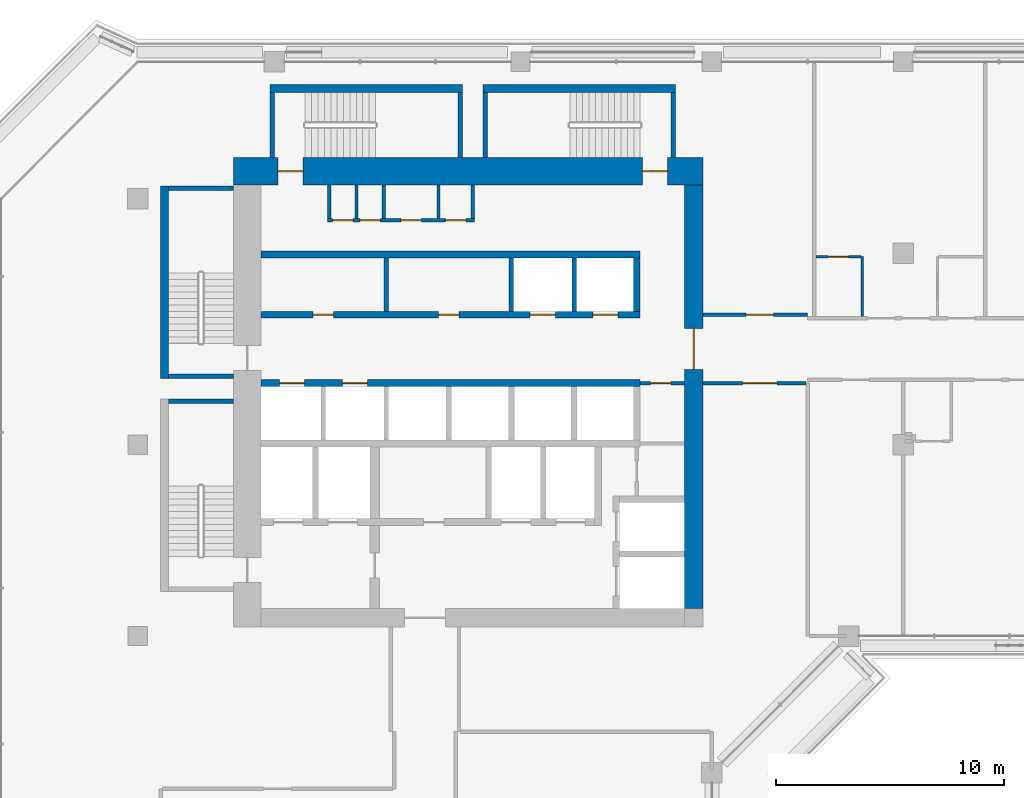
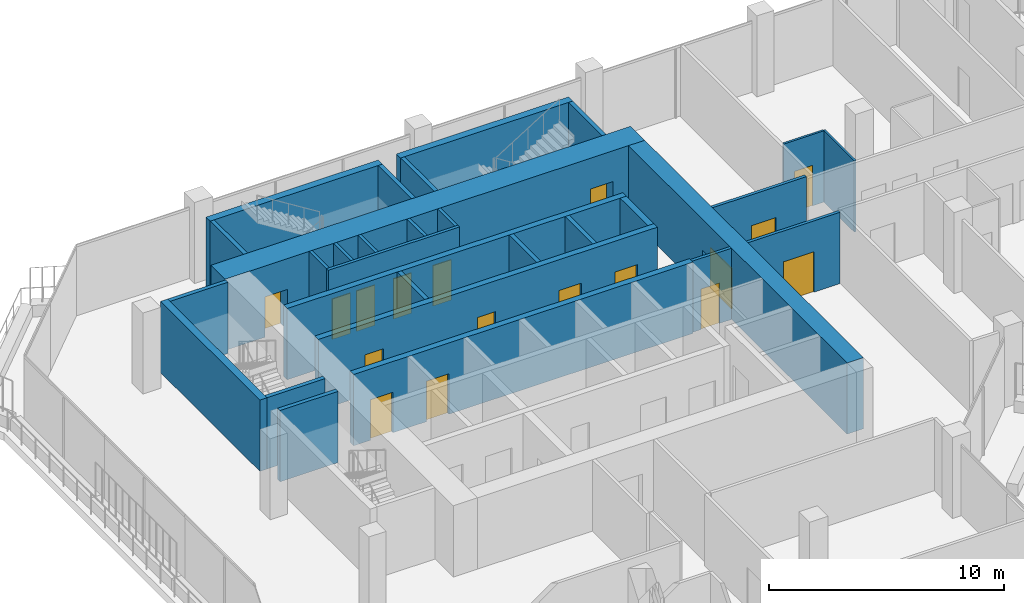
# One storey, part 12 of 23: 30 walls, 17 doors, 17 openings.
"""IFC4 building model written with IfcOpenShell, lengths in metres."""

from ifc_helpers import new_model, si_unit, direction, frame, frame_2d, origin, place, context, subcontext, project, spatial, rectangle, extrude, material, layer, layer_set, type_object, element, fill, save


model = new_model("IFC4")

# Units and contexts
model_context = context("Model", 3, precision=1e-05, world=origin(), true_north=direction((0.0, 1.0)))
body_context = subcontext(model_context, "Body", "Model", "MODEL_VIEW")
ifc_project = project(units=[si_unit("LENGTHUNIT", "METRE"), si_unit("AREAUNIT", "SQUARE_METRE"), si_unit("VOLUMEUNIT", "CUBIC_METRE"), si_unit("PLANEANGLEUNIT", "RADIAN"), si_unit("MASSUNIT", "GRAM", prefix="KILO")], contexts=[model_context])

# Site, building, storey
site_placement = place(None, origin())
site = spatial("IfcSite", under=ifc_project, at=site_placement, CompositionType="ELEMENT")
building_placement = place(site_placement, origin())
building = spatial("IfcBuilding", under=site, at=building_placement, Name="Kawkab Arch Medical Tower", CompositionType="ELEMENT")
storey_placement = place(building_placement, frame((0.0, 0.0, 268.39990234375)))
storey = spatial("IfcBuildingStorey", under=building, at=storey_placement, Name="L62", CompositionType="ELEMENT", Elevation=268.39990234375)

# Wall, openings, doors
ifc_material_1 = material(Name="Concrete C50/60", Category="concrete")
ifc_layer_1 = layer(ifc_material_1, 1.199951171875)
ifc_layer_set_1 = layer_set([ifc_layer_1], Name="Concrete C50/60")
wall_type_1 = type_object("IfcWallType", Name="Core ring wall 1200 C50/60", PredefinedType="SHEAR", material=ifc_layer_set_1)
wall_1_placement = place(storey_placement, frame((4.199951171875, -4.800048828125, 0.0), z_axis=(0.0, 0.0, 1.0), x_axis=(1.0, 0.0, 0.0)))
wall_1 = element("IfcWall", 1, at=wall_1_placement, inside=storey, type_object=wall_type_1, Name="L62 core wall", PredefinedType="SHEAR", context=body_context, shape_type="SweptSolid", body=[
    extrude(rectangle(XDim=20.60009765625, YDim=1.199951171875, at=frame_2d((10.300048828125, 0.0))), origin(), (0.0, 0.0, 1.0), 3.7001953125),
])
opening_1_placement = place(wall_1_placement, frame((1.949951171875, 0.0, 0.0)))
opening_1 = element("IfcOpeningElement", 2, at=opening_1_placement, cuts=wall_1, Name="Opening SD", PredefinedType="OPENING", context=body_context, shape_type="SweptSolid", body=[
    extrude(rectangle(XDim=1.10009765625, YDim=2.10009765625, at=frame_2d((0.550048828125, 1.050048828125))), frame((0.0, 0.60986328125, 0.0), z_axis=(0.0, -1.0, 0.0), x_axis=(1.0, 0.0, 0.0)), (0.0, 0.0, 1.0), 1.219970703125),
])
opening_2_placement = place(wall_1_placement, frame((17.949951171875, 0.0, 0.0)))
opening_2 = element("IfcOpeningElement", 3, at=opening_2_placement, cuts=wall_1, Name="Opening SD", PredefinedType="OPENING", context=body_context, shape_type="SweptSolid", body=[
    extrude(rectangle(XDim=1.10009765625, YDim=2.10009765625, at=frame_2d((0.550048828125, 1.050048828125))), frame((0.0, 0.60986328125, 0.0), z_axis=(0.0, -1.0, 0.0), x_axis=(1.0, 0.0, 0.0)), (0.0, 0.0, 1.0), 1.219970703125),
])
ifc_material_2 = material(Name="Hollow metal fire door leaf")
door_type_1 = type_object("IfcDoorType", Name="Exit stair door 1100", OperationType="SINGLE_SWING_LEFT", PredefinedType="DOOR", material=ifc_material_2)
door_1_placement = place(opening_1_placement, origin())
door_1 = element("IfcDoor", 4, at=door_1_placement, inside=storey, type_object=door_type_1, Name="L62 Exit stair ST3 door", OperationType="SINGLE_SWING_LEFT", OverallHeight=2.10009765625, OverallWidth=1.10009765625, PredefinedType="DOOR", context=body_context, shape_type="SweptSolid", body=[
    extrude(rectangle(XDim=1.10009765625, YDim=2.10009765625, at=frame_2d((0.550048828125, 1.050048828125))), frame((0.0, 0.02490234375, 0.0), z_axis=(0.0, -1.0, 0.0), x_axis=(1.0, 0.0, 0.0)), (0.0, 0.0, 1.0), 0.050048828125),
])
fill(opening_1, door_1)
door_2_placement = place(opening_2_placement, origin())
door_2 = element("IfcDoor", 5, at=door_2_placement, inside=storey, type_object=door_type_1, Name="L62 Exit stair ST4 door", OperationType="SINGLE_SWING_LEFT", OverallHeight=2.10009765625, OverallWidth=1.10009765625, PredefinedType="DOOR", context=body_context, shape_type="SweptSolid", body=[
    extrude(rectangle(XDim=1.10009765625, YDim=2.10009765625, at=frame_2d((0.550048828125, 1.050048828125))), frame((0.0, 0.02490234375, 0.0), z_axis=(0.0, -1.0, 0.0), x_axis=(1.0, 0.0, 0.0)), (0.0, 0.0, 1.0), 0.050048828125),
])
fill(opening_2, door_2)

# Wall, opening, door
ifc_material_3 = material(Name="Concrete C50/60", Category="concrete")
ifc_layer_2 = layer(ifc_material_3, 0.800048828125)
ifc_layer_set_2 = layer_set([ifc_layer_2], Name="Concrete C50/60")
wall_type_2 = type_object("IfcWallType", Name="Core ring wall 800 C50/60", PredefinedType="SHEAR", material=ifc_layer_set_2)
wall_2_placement = place(storey_placement, frame((24.39990234375, -24.0, 0.0), z_axis=(0.0, 0.0, 1.0), x_axis=(0.0, 1.0, 0.0)))
wall_2 = element("IfcWall", 6, at=wall_2_placement, inside=storey, type_object=wall_type_2, Name="L62 core wall", PredefinedType="SHEAR", context=body_context, shape_type="SweptSolid", body=[
    extrude(rectangle(XDim=18.60009765625, YDim=0.800048828125, at=frame_2d((9.300048828125, 0.0))), origin(), (0.0, 0.0, 1.0), 3.7001953125),
])
opening_3_placement = place(wall_2_placement, frame((10.5, 0.0, 0.0)))
opening_3 = element("IfcOpeningElement", 7, at=opening_3_placement, cuts=wall_2, Name="Opening PD", PredefinedType="OPENING", context=body_context, shape_type="SweptSolid", body=[
    extrude(rectangle(XDim=1.800048828125, YDim=2.10009765625, at=frame_2d((0.89990234375, 1.050048828125))), frame((0.0, 0.409912109375, 0.0), z_axis=(0.0, -1.0, 0.0), x_axis=(1.0, 0.0, 0.0)), (0.0, 0.0, 1.0), 0.820068359375),
])
ifc_material_4 = material(Name="Hollow metal fire door leaf")
door_type_2 = type_object("IfcDoorType", Name="Core entrance doors 1800", OperationType="DOUBLE_DOOR_SINGLE_SWING", PredefinedType="DOOR", material=ifc_material_4)
door_3_placement = place(opening_3_placement, origin())
door_3 = element("IfcDoor", 8, at=door_3_placement, inside=storey, type_object=door_type_2, Name="L62 East entrance doors", OperationType="DOUBLE_DOOR_SINGLE_SWING", OverallHeight=2.10009765625, OverallWidth=1.800048828125, PredefinedType="DOOR", context=body_context, shape_type="SweptSolid", body=[
    extrude(rectangle(XDim=1.800048828125, YDim=2.10009765625, at=frame_2d((0.89990234375, 1.050048828125))), frame((0.0, 0.02490234375, 0.0), z_axis=(0.0, -1.0, 0.0), x_axis=(1.0, 0.0, 0.0)), (0.0, 0.0, 1.0), 0.050048828125),
])
fill(opening_3, door_3)

ifc_material_5 = material(Name="Gypsum board on steel studs", Category="steel")
ifc_layer_3 = layer(ifc_material_5, 0.14990234375)
ifc_layer_set_3 = layer_set([ifc_layer_3], Name="Gypsum board on steel studs")
wall_type_3 = type_object("IfcWallType", Name="Core room partition 150", PredefinedType="PARTITIONING", material=ifc_layer_set_3)
wall_3_placement = place(storey_placement, frame((22.050048828125, -14.10009765625, 0.0), z_axis=(0.0, 0.0, 1.0), x_axis=(1.0, 0.0, 0.0)))
wall_3 = element("IfcWall", 9, at=wall_3_placement, inside=storey, type_object=wall_type_3, Name="L62 core room partition", PredefinedType="PARTITIONING", context=body_context, shape_type="SweptSolid", body=[
    extrude(rectangle(XDim=1.949951171875, YDim=0.14990234375, at=frame_2d((0.97509765625, 0.0))), origin(), (0.0, 0.0, 1.0), 3.7001953125),
])
opening_4_placement = place(wall_3_placement, frame((0.449951171875, 0.0, 0.0)))
opening_4 = element("IfcOpeningElement", 10, at=opening_4_placement, cuts=wall_3, Name="Opening RD", PredefinedType="OPENING", context=body_context, shape_type="SweptSolid", body=[
    extrude(rectangle(XDim=0.89990234375, YDim=2.10009765625, at=frame_2d((0.449951171875, 1.050048828125))), frame((0.0, 0.0849609375, 0.0), z_axis=(0.0, -1.0, 0.0), x_axis=(1.0, 0.0, 0.0)), (0.0, 0.0, 1.0), 0.169921875),
])
ifc_material_6 = material(Name="Hollow metal fire door leaf")
door_type_3 = type_object("IfcDoorType", Name="Core room door 900", OperationType="SINGLE_SWING_LEFT", PredefinedType="DOOR", material=ifc_material_6)
door_4_placement = place(opening_4_placement, origin())
door_4 = element("IfcDoor", 11, at=door_4_placement, inside=storey, type_object=door_type_3, Name="L62 Medical gas plant room door", OperationType="SINGLE_SWING_LEFT", OverallHeight=2.10009765625, OverallWidth=0.89990234375, PredefinedType="DOOR", context=body_context, shape_type="SweptSolid", body=[
    extrude(rectangle(XDim=0.89990234375, YDim=2.10009765625, at=frame_2d((0.449951171875, 1.050048828125))), frame((0.0, 0.02490234375, 0.0), z_axis=(0.0, -1.0, 0.0), x_axis=(1.0, 0.0, 0.0)), (0.0, 0.0, 1.0), 0.050048828125),
])
fill(opening_4, door_4)

# Wall, openings, doors
wall_4_placement = place(storey_placement, frame((8.324951171875, -6.949951171875, 0.0), z_axis=(0.0, 0.0, 1.0), x_axis=(1.0, 0.0, 0.0)))
wall_4 = element("IfcWall", 12, at=wall_4_placement, inside=storey, type_object=wall_type_3, Name="L62 core room partition", PredefinedType="PARTITIONING", context=body_context, shape_type="SweptSolid", body=[
    extrude(rectangle(XDim=6.449951171875, YDim=0.14990234375, at=frame_2d((3.22509765625, 0.0))), origin(), (0.0, 0.0, 1.0), 3.7001953125),
])
opening_5_placement = place(wall_4_placement, frame((0.22509765625, 0.0, 0.0)))
opening_5 = element("IfcOpeningElement", 13, at=opening_5_placement, cuts=wall_4, Name="Opening RD", PredefinedType="OPENING", context=body_context, shape_type="SweptSolid", body=[
    extrude(rectangle(XDim=0.89990234375, YDim=2.10009765625, at=frame_2d((0.449951171875, 1.050048828125))), frame((0.0, 0.0849609375, 0.0), z_axis=(0.0, -1.0, 0.0), x_axis=(1.0, 0.0, 0.0)), (0.0, 0.0, 1.0), 0.169921875),
])
opening_6_placement = place(wall_4_placement, frame((1.425048828125, 0.0, 0.0)))
opening_6 = element("IfcOpeningElement", 14, at=opening_6_placement, cuts=wall_4, Name="Opening RD", PredefinedType="OPENING", context=body_context, shape_type="SweptSolid", body=[
    extrude(rectangle(XDim=0.89990234375, YDim=2.10009765625, at=frame_2d((0.449951171875, 1.050048828125))), frame((0.0, 0.0849609375, 0.0), z_axis=(0.0, -1.0, 0.0), x_axis=(1.0, 0.0, 0.0)), (0.0, 0.0, 1.0), 0.169921875),
])
opening_7_placement = place(wall_4_placement, frame((3.22509765625, 0.0, 0.0)))
opening_7 = element("IfcOpeningElement", 15, at=opening_7_placement, cuts=wall_4, Name="Opening RD", PredefinedType="OPENING", context=body_context, shape_type="SweptSolid", body=[
    extrude(rectangle(XDim=0.89990234375, YDim=2.10009765625, at=frame_2d((0.449951171875, 1.050048828125))), frame((0.0, 0.0849609375, 0.0), z_axis=(0.0, -1.0, 0.0), x_axis=(1.0, 0.0, 0.0)), (0.0, 0.0, 1.0), 0.169921875),
])
opening_8_placement = place(wall_4_placement, frame((5.175048828125, 0.0, 0.0)))
opening_8 = element("IfcOpeningElement", 16, at=opening_8_placement, cuts=wall_4, Name="Opening RD", PredefinedType="OPENING", context=body_context, shape_type="SweptSolid", body=[
    extrude(rectangle(XDim=0.89990234375, YDim=2.10009765625, at=frame_2d((0.449951171875, 1.050048828125))), frame((0.0, 0.0849609375, 0.0), z_axis=(0.0, -1.0, 0.0), x_axis=(1.0, 0.0, 0.0)), (0.0, 0.0, 1.0), 0.169921875),
])
door_5_placement = place(opening_5_placement, origin())
door_5 = element("IfcDoor", 17, at=door_5_placement, inside=storey, type_object=door_type_3, Name="L62 Electrical riser room door", OperationType="SINGLE_SWING_LEFT", OverallHeight=2.10009765625, OverallWidth=0.89990234375, PredefinedType="DOOR", context=body_context, shape_type="SweptSolid", body=[
    extrude(rectangle(XDim=0.89990234375, YDim=2.10009765625, at=frame_2d((0.449951171875, 1.050048828125))), frame((0.0, 0.02490234375, 0.0), z_axis=(0.0, -1.0, 0.0), x_axis=(1.0, 0.0, 0.0)), (0.0, 0.0, 1.0), 0.050048828125),
])
fill(opening_5, door_5)
door_6_placement = place(opening_6_placement, origin())
door_6 = element("IfcDoor", 18, at=door_6_placement, inside=storey, type_object=door_type_3, Name="L62 Medication store door", OperationType="SINGLE_SWING_LEFT", OverallHeight=2.10009765625, OverallWidth=0.89990234375, PredefinedType="DOOR", context=body_context, shape_type="SweptSolid", body=[
    extrude(rectangle(XDim=0.89990234375, YDim=2.10009765625, at=frame_2d((0.449951171875, 1.050048828125))), frame((0.0, 0.02490234375, 0.0), z_axis=(0.0, -1.0, 0.0), x_axis=(1.0, 0.0, 0.0)), (0.0, 0.0, 1.0), 0.050048828125),
])
fill(opening_6, door_6)
door_7_placement = place(opening_7_placement, origin())
door_7 = element("IfcDoor", 19, at=door_7_placement, inside=storey, type_object=door_type_3, Name="L62 Clean utility room door", OperationType="SINGLE_SWING_LEFT", OverallHeight=2.10009765625, OverallWidth=0.89990234375, PredefinedType="DOOR", context=body_context, shape_type="SweptSolid", body=[
    extrude(rectangle(XDim=0.89990234375, YDim=2.10009765625, at=frame_2d((0.449951171875, 1.050048828125))), frame((0.0, 0.02490234375, 0.0), z_axis=(0.0, -1.0, 0.0), x_axis=(1.0, 0.0, 0.0)), (0.0, 0.0, 1.0), 0.050048828125),
])
fill(opening_7, door_7)
door_8_placement = place(opening_8_placement, origin())
door_8 = element("IfcDoor", 20, at=door_8_placement, inside=storey, type_object=door_type_3, Name="L62 Dirty utility room door", OperationType="SINGLE_SWING_LEFT", OverallHeight=2.10009765625, OverallWidth=0.89990234375, PredefinedType="DOOR", context=body_context, shape_type="SweptSolid", body=[
    extrude(rectangle(XDim=0.89990234375, YDim=2.10009765625, at=frame_2d((0.449951171875, 1.050048828125))), frame((0.0, 0.02490234375, 0.0), z_axis=(0.0, -1.0, 0.0), x_axis=(1.0, 0.0, 0.0)), (0.0, 0.0, 1.0), 0.050048828125),
])
fill(opening_8, door_8)

# Walls
for number, where, z_axis, x_axis, name in (
    (21, (8.39990234375, -6.875, 0.0), (0.0, 0.0, 1.0), (0.0, 1.0, 0.0), "L62 core room partition"),
    (22, (9.60009765625, -6.875, 0.0), (0.0, 0.0, 1.0), (0.0, 1.0, 0.0), "L62 core room partition"),
    (23, (10.800048828125, -6.875, 0.0), (0.0, 0.0, 1.0), (0.0, 1.0, 0.0), "L62 core room partition"),
    (24, (13.199951171875, -6.875, 0.0), (0.0, 0.0, 1.0), (0.0, 1.0, 0.0), "L62 core room partition"),
    (25, (14.699951171875, -6.875, 0.0), (0.0, 0.0, 1.0), (0.0, 1.0, 0.0), "L62 core room partition"),
):
    element("IfcWall", number, at=place(storey_placement, frame(where, z_axis=z_axis, x_axis=x_axis)), inside=storey, type_object=wall_type_3, Name=name, PredefinedType="PARTITIONING", context=body_context, shape_type="SweptSolid", body=[
        extrude(rectangle(XDim=1.47509765625, YDim=0.14990234375, at=frame_2d((0.737548828125, 0.0))), origin(), (0.0, 0.0, 1.0), 3.7001953125),
    ])
ifc_material_7 = material(Name="Concrete C60/75", Category="concrete")
ifc_layer_4 = layer(ifc_material_7, 0.300048828125)
ifc_layer_set_4 = layer_set([ifc_layer_4], Name="Concrete C60/75")
wall_type_4 = type_object("IfcWallType", Name="Core shear wall 300 C60/75", PredefinedType="SHEAR", material=ifc_layer_set_4)
wall_5_placement = place(storey_placement, frame((5.39990234375, -8.449951171875, 0.0), z_axis=(0.0, 0.0, 1.0), x_axis=(1.0, 0.0, 0.0)))
element("IfcWall", 26, at=wall_5_placement, inside=storey, type_object=wall_type_4, Name="L62 core shear wall", PredefinedType="SHEAR", context=body_context, shape_type="SweptSolid", body=[
    extrude(rectangle(XDim=16.650146484375, YDim=0.300048828125, at=frame_2d((8.3251953125, 0.0))), origin(), (0.0, 0.0, 1.0), 3.7001953125),
])

# Wall, openings, doors
wall_6_placement = place(storey_placement, frame((5.39990234375, -11.10009765625, 0.0), z_axis=(0.0, 0.0, 1.0), x_axis=(1.0, 0.0, 0.0)))
wall_6 = element("IfcWall", 27, at=wall_6_placement, inside=storey, type_object=wall_type_4, Name="L62 core shear wall", PredefinedType="SHEAR", context=body_context, shape_type="SweptSolid", body=[
    extrude(rectangle(XDim=16.650146484375, YDim=0.300048828125, at=frame_2d((8.3251953125, 0.0))), origin(), (0.0, 0.0, 1.0), 3.7001953125),
])
opening_9_placement = place(wall_6_placement, frame((11.824951171875, 0.0, 0.0)))
opening_9 = element("IfcOpeningElement", 28, at=opening_9_placement, cuts=wall_6, Name="Opening LD1", PredefinedType="OPENING", context=body_context, shape_type="SweptSolid", body=[
    extrude(rectangle(XDim=1.10009765625, YDim=2.10009765625, at=frame_2d((0.550048828125, 1.050048828125))), frame((0.0, 0.159912109375, 0.0), z_axis=(0.0, -1.0, 0.0), x_axis=(1.0, 0.0, 0.0)), (0.0, 0.0, 1.0), 0.320068359375),
])
opening_10_placement = place(wall_6_placement, frame((14.574951171875, 0.0, 0.0)))
opening_10 = element("IfcOpeningElement", 29, at=opening_10_placement, cuts=wall_6, Name="Opening LD1", PredefinedType="OPENING", context=body_context, shape_type="SweptSolid", body=[
    extrude(rectangle(XDim=1.10009765625, YDim=2.10009765625, at=frame_2d((0.550048828125, 1.050048828125))), frame((0.0, 0.159912109375, 0.0), z_axis=(0.0, -1.0, 0.0), x_axis=(1.0, 0.0, 0.0)), (0.0, 0.0, 1.0), 0.320068359375),
])
opening_11_placement = place(wall_6_placement, frame((2.300048828125, 0.0, 0.0)))
opening_11 = element("IfcOpeningElement", 30, at=opening_11_placement, cuts=wall_6, Name="Opening RD", PredefinedType="OPENING", context=body_context, shape_type="SweptSolid", body=[
    extrude(rectangle(XDim=0.89990234375, YDim=2.10009765625, at=frame_2d((0.449951171875, 1.050048828125))), frame((0.0, 0.159912109375, 0.0), z_axis=(0.0, -1.0, 0.0), x_axis=(1.0, 0.0, 0.0)), (0.0, 0.0, 1.0), 0.320068359375),
])
opening_12_placement = place(wall_6_placement, frame((7.800048828125, 0.0, 0.0)))
opening_12 = element("IfcOpeningElement", 31, at=opening_12_placement, cuts=wall_6, Name="Opening RD", PredefinedType="OPENING", context=body_context, shape_type="SweptSolid", body=[
    extrude(rectangle(XDim=0.89990234375, YDim=2.10009765625, at=frame_2d((0.449951171875, 1.050048828125))), frame((0.0, 0.159912109375, 0.0), z_axis=(0.0, -1.0, 0.0), x_axis=(1.0, 0.0, 0.0)), (0.0, 0.0, 1.0), 0.320068359375),
])
door_9_placement = place(opening_11_placement, origin())
door_9 = element("IfcDoor", 32, at=door_9_placement, inside=storey, type_object=door_type_3, Name="L62 Ward pantry door", OperationType="SINGLE_SWING_LEFT", OverallHeight=2.10009765625, OverallWidth=0.89990234375, PredefinedType="DOOR", context=body_context, shape_type="SweptSolid", body=[
    extrude(rectangle(XDim=0.89990234375, YDim=2.10009765625, at=frame_2d((0.449951171875, 1.050048828125))), frame((0.0, 0.02490234375, 0.0), z_axis=(0.0, -1.0, 0.0), x_axis=(1.0, 0.0, 0.0)), (0.0, 0.0, 1.0), 0.050048828125),
])
fill(opening_11, door_9)
door_10_placement = place(opening_12_placement, origin())
door_10 = element("IfcDoor", 33, at=door_10_placement, inside=storey, type_object=door_type_3, Name="L62 Comms room door", OperationType="SINGLE_SWING_LEFT", OverallHeight=2.10009765625, OverallWidth=0.89990234375, PredefinedType="DOOR", context=body_context, shape_type="SweptSolid", body=[
    extrude(rectangle(XDim=0.89990234375, YDim=2.10009765625, at=frame_2d((0.449951171875, 1.050048828125))), frame((0.0, 0.02490234375, 0.0), z_axis=(0.0, -1.0, 0.0), x_axis=(1.0, 0.0, 0.0)), (0.0, 0.0, 1.0), 0.050048828125),
])
fill(opening_12, door_10)
ifc_material_8 = material(Name="Stainless steel lift door leaf", Category="steel")
door_type_4 = type_object("IfcDoorType", Name="Lift landing door 1100", OperationType="DOUBLE_DOOR_SLIDING", PredefinedType="DOOR", material=ifc_material_8)
door_11_placement = place(opening_9_placement, origin())
door_11 = element("IfcDoor", 34, at=door_11_placement, inside=storey, type_object=door_type_4, Name="L62 Lift landing door MP1", OperationType="DOUBLE_DOOR_SLIDING", OverallHeight=2.10009765625, OverallWidth=1.10009765625, PredefinedType="DOOR", context=body_context, shape_type="SweptSolid", body=[
    extrude(rectangle(XDim=1.10009765625, YDim=2.10009765625, at=frame_2d((0.550048828125, 1.050048828125))), frame((0.0, 0.02490234375, 0.0), z_axis=(0.0, -1.0, 0.0), x_axis=(1.0, 0.0, 0.0)), (0.0, 0.0, 1.0), 0.050048828125),
])
fill(opening_9, door_11)
door_12_placement = place(opening_10_placement, origin())
door_12 = element("IfcDoor", 35, at=door_12_placement, inside=storey, type_object=door_type_4, Name="L62 Lift landing door MP2", OperationType="DOUBLE_DOOR_SLIDING", OverallHeight=2.10009765625, OverallWidth=1.10009765625, PredefinedType="DOOR", context=body_context, shape_type="SweptSolid", body=[
    extrude(rectangle(XDim=1.10009765625, YDim=2.10009765625, at=frame_2d((0.550048828125, 1.050048828125))), frame((0.0, 0.02490234375, 0.0), z_axis=(0.0, -1.0, 0.0), x_axis=(1.0, 0.0, 0.0)), (0.0, 0.0, 1.0), 0.050048828125),
])
fill(opening_10, door_12)

wall_7_placement = place(storey_placement, frame((5.39990234375, -14.10009765625, 0.0), z_axis=(0.0, 0.0, 1.0), x_axis=(1.0, 0.0, 0.0)))
wall_7 = element("IfcWall", 36, at=wall_7_placement, inside=storey, type_object=wall_type_4, Name="L62 core shear wall", PredefinedType="SHEAR", context=body_context, shape_type="SweptSolid", body=[
    extrude(rectangle(XDim=16.650146484375, YDim=0.300048828125, at=frame_2d((8.3251953125, 0.0))), origin(), (0.0, 0.0, 1.0), 3.7001953125),
])
opening_13_placement = place(wall_7_placement, frame((0.824951171875, 0.0, 0.0)))
opening_13 = element("IfcOpeningElement", 37, at=opening_13_placement, cuts=wall_7, Name="Opening LD1", PredefinedType="OPENING", context=body_context, shape_type="SweptSolid", body=[
    extrude(rectangle(XDim=1.10009765625, YDim=2.10009765625, at=frame_2d((0.550048828125, 1.050048828125))), frame((0.0, 0.159912109375, 0.0), z_axis=(0.0, -1.0, 0.0), x_axis=(1.0, 0.0, 0.0)), (0.0, 0.0, 1.0), 0.320068359375),
])
opening_14_placement = place(wall_7_placement, frame((3.574951171875, 0.0, 0.0)))
opening_14 = element("IfcOpeningElement", 38, at=opening_14_placement, cuts=wall_7, Name="Opening LD1", PredefinedType="OPENING", context=body_context, shape_type="SweptSolid", body=[
    extrude(rectangle(XDim=1.10009765625, YDim=2.10009765625, at=frame_2d((0.550048828125, 1.050048828125))), frame((0.0, 0.159912109375, 0.0), z_axis=(0.0, -1.0, 0.0), x_axis=(1.0, 0.0, 0.0)), (0.0, 0.0, 1.0), 0.320068359375),
])
door_13_placement = place(opening_13_placement, origin())
door_13 = element("IfcDoor", 39, at=door_13_placement, inside=storey, type_object=door_type_4, Name="L62 Lift landing door MP3", OperationType="DOUBLE_DOOR_SLIDING", OverallHeight=2.10009765625, OverallWidth=1.10009765625, PredefinedType="DOOR", context=body_context, shape_type="SweptSolid", body=[
    extrude(rectangle(XDim=1.10009765625, YDim=2.10009765625, at=frame_2d((0.550048828125, 1.050048828125))), frame((0.0, 0.02490234375, 0.0), z_axis=(0.0, -1.0, 0.0), x_axis=(1.0, 0.0, 0.0)), (0.0, 0.0, 1.0), 0.050048828125),
])
fill(opening_13, door_13)
door_14_placement = place(opening_14_placement, origin())
door_14 = element("IfcDoor", 40, at=door_14_placement, inside=storey, type_object=door_type_4, Name="L62 Lift landing door MP4", OperationType="DOUBLE_DOOR_SLIDING", OverallHeight=2.10009765625, OverallWidth=1.10009765625, PredefinedType="DOOR", context=body_context, shape_type="SweptSolid", body=[
    extrude(rectangle(XDim=1.10009765625, YDim=2.10009765625, at=frame_2d((0.550048828125, 1.050048828125))), frame((0.0, 0.02490234375, 0.0), z_axis=(0.0, -1.0, 0.0), x_axis=(1.0, 0.0, 0.0)), (0.0, 0.0, 1.0), 0.050048828125),
])
fill(opening_14, door_14)

# Walls
wall_8_placement = place(storey_placement, frame((21.89990234375, -10.949951171875, 0.0), z_axis=(0.0, 0.0, 1.0), x_axis=(0.0, 1.0, 0.0)))
element("IfcWall", 41, at=wall_8_placement, inside=storey, type_object=wall_type_4, Name="L62 core shear wall", PredefinedType="SHEAR", context=body_context, shape_type="SweptSolid", body=[
    extrude(rectangle(XDim=2.349853515625, YDim=0.300048828125, at=frame_2d((1.1748046875, 0.0))), origin(), (0.0, 0.0, 1.0), 3.7001953125),
])
ifc_material_9 = material(Name="Dense concrete blockwork", Category="masonry")
ifc_layer_5 = layer(ifc_material_9, 0.199951171875)
ifc_layer_set_5 = layer_set([ifc_layer_5], Name="Dense concrete blockwork")
wall_type_5 = type_object("IfcWallType", Name="Lift shaft partition 200", PredefinedType="PARTITIONING", material=ifc_layer_set_5)
for number, where, z_axis, x_axis, name in (
    (42, (10.89990234375, -10.949951171875, 0.0), (0.0, 0.0, 1.0), (0.0, 1.0, 0.0), "L62 lift shaft partition"),
    (43, (16.39990234375, -10.949951171875, 0.0), (0.0, 0.0, 1.0), (0.0, 1.0, 0.0), "L62 lift shaft partition"),
    (44, (19.14990234375, -10.949951171875, 0.0), (0.0, 0.0, 1.0), (0.0, 1.0, 0.0), "L62 lift shaft partition"),
):
    element("IfcWall", number, at=place(storey_placement, frame(where, z_axis=z_axis, x_axis=x_axis)), inside=storey, type_object=wall_type_5, Name=name, PredefinedType="PARTITIONING", context=body_context, shape_type="SweptSolid", body=[
        extrude(rectangle(XDim=2.349853515625, YDim=0.199951171875, at=frame_2d((1.1748046875, 0.0))), origin(), (0.0, 0.0, 1.0), 3.7001953125),
    ])

# Wall, opening, door
ifc_material_10 = material(Name="Gypsum board partition on steel studs", Category="steel")
ifc_layer_6 = layer(ifc_material_10, 0.10009765625)
ifc_layer_set_6 = layer_set([ifc_layer_6], Name="Gypsum board partition on steel studs")
wall_type_6 = type_object("IfcWallType", Name="Partition 100", PredefinedType="PARTITIONING", material=ifc_layer_set_6)
wall_9_placement = place(storey_placement, frame((29.77490234375, -8.550048828125, 0.0), z_axis=(0.0, 0.0, 1.0), x_axis=(1.0, 0.0, 0.0)))
wall_9 = element("IfcWall", 45, at=wall_9_placement, inside=storey, type_object=wall_type_6, Name="Partition 100 w007", PredefinedType="PARTITIONING", context=body_context, shape_type="SweptSolid", body=[
    extrude(rectangle(XDim=1.97509765625, YDim=0.10009765625, at=frame_2d((0.987548828125, 0.0))), origin(), (0.0, 0.0, 1.0), 3.7001953125),
])
opening_15_placement = place(wall_9_placement, frame((0.52490234375, 0.0, 0.0)))
opening_15 = element("IfcOpeningElement", 46, at=opening_15_placement, cuts=wall_9, Name="Opening W57-002", PredefinedType="OPENING", context=body_context, shape_type="SweptSolid", body=[
    extrude(rectangle(XDim=0.89990234375, YDim=2.10009765625, at=frame_2d((0.449951171875, 1.050048828125))), frame((0.0, 0.06005859375, 0.0), z_axis=(0.0, -1.0, 0.0), x_axis=(1.0, 0.0, 0.0)), (0.0, 0.0, 1.0), 0.1201171875),
])
ifc_material_11 = material(Name="Timber door leaf", Category="wood")
door_type_5 = type_object("IfcDoorType", Name="Single door 900x2100", OperationType="NOTDEFINED", PredefinedType="DOOR", material=ifc_material_11)
door_15_placement = place(opening_15_placement, origin())
door_15 = element("IfcDoor", 47, at=door_15_placement, inside=storey, type_object=door_type_5, Name="Door W57-002", OperationType="SINGLE_SWING_RIGHT", OverallHeight=2.10009765625, OverallWidth=0.89990234375, PredefinedType="DOOR", context=body_context, shape_type="SweptSolid", body=[
    extrude(rectangle(XDim=0.89990234375, YDim=2.10009765625, at=frame_2d((0.449951171875, 1.050048828125))), frame((0.0, 0.02490234375, 0.0), z_axis=(0.0, -1.0, 0.0), x_axis=(1.0, 0.0, 0.0)), (0.0, 0.0, 1.0), 0.050048828125),
])
fill(opening_15, door_15)

# Wall
wall_10_placement = place(storey_placement, frame((31.800048828125, -11.175048828125, 0.0), z_axis=(0.0, 0.0, 1.0), x_axis=(0.0, 1.0, 0.0)))
element("IfcWall", 48, at=wall_10_placement, inside=storey, type_object=wall_type_6, Name="Partition 100 w010", PredefinedType="PARTITIONING", context=body_context, shape_type="SweptSolid", body=[
    extrude(rectangle(XDim=2.625, YDim=0.10009765625, at=frame_2d((1.3125, 0.0))), origin(), (0.0, 0.0, 1.0), 3.7001953125),
])

# Wall, opening, door
ifc_material_12 = material(Name="Gypsum board partition on steel studs, mineral wool", Category="steel")
ifc_layer_7 = layer(ifc_material_12, 0.14990234375)
ifc_layer_set_7 = layer_set([ifc_layer_7], Name="Gypsum board partition on steel studs, mineral wool")
wall_type_7 = type_object("IfcWallType", Name="Partition 150", PredefinedType="PARTITIONING", material=ifc_layer_set_7)
wall_11_placement = place(storey_placement, frame((24.800048828125, -14.10009765625, 0.0), z_axis=(0.0, 0.0, 1.0), x_axis=(1.0, 0.0, 0.0)))
wall_11 = element("IfcWall", 49, at=wall_11_placement, inside=storey, type_object=wall_type_7, Name="Partition 150 w032", PredefinedType="PARTITIONING", context=body_context, shape_type="SweptSolid", body=[
    extrude(rectangle(XDim=4.52490234375, YDim=0.14990234375, at=frame_2d((2.262451171875, 0.0))), origin(), (0.0, 0.0, 1.0), 3.7001953125),
])
opening_16_placement = place(wall_11_placement, frame((1.75, 0.0, 0.0)))
opening_16 = element("IfcOpeningElement", 50, at=opening_16_placement, cuts=wall_11, Name="Opening W57-001", PredefinedType="OPENING", context=body_context, shape_type="SweptSolid", body=[
    extrude(rectangle(XDim=1.5, YDim=2.10009765625, at=frame_2d((0.75, 1.050048828125))), frame((0.0, 0.0849609375, 0.0), z_axis=(0.0, -1.0, 0.0), x_axis=(1.0, 0.0, 0.0)), (0.0, 0.0, 1.0), 0.169921875),
])
ifc_material_13 = material(Name="Hollow metal door leaf")
door_type_6 = type_object("IfcDoorType", Name="Double door 1500x2100 FD30S", OperationType="NOTDEFINED", PredefinedType="DOOR", material=ifc_material_13)
door_16_placement = place(opening_16_placement, origin())
door_16 = element("IfcDoor", 51, at=door_16_placement, inside=storey, type_object=door_type_6, Name="Door W57-001", OperationType="DOUBLE_DOOR_SINGLE_SWING", OverallHeight=2.10009765625, OverallWidth=1.5, PredefinedType="DOOR", context=body_context, shape_type="SweptSolid", body=[
    extrude(rectangle(XDim=1.5, YDim=2.10009765625, at=frame_2d((0.75, 1.050048828125))), frame((0.0, 0.02490234375, 0.0), z_axis=(0.0, -1.0, 0.0), x_axis=(1.0, 0.0, 0.0)), (0.0, 0.0, 1.0), 0.050048828125),
])
fill(opening_16, door_16)

wall_12_placement = place(storey_placement, frame((24.800048828125, -11.10009765625, 0.0), z_axis=(0.0, 0.0, 1.0), x_axis=(1.0, 0.0, 0.0)))
wall_12 = element("IfcWall", 52, at=wall_12_placement, inside=storey, type_object=wall_type_7, Name="Partition 150 w037", PredefinedType="PARTITIONING", context=body_context, shape_type="SweptSolid", body=[
    extrude(rectangle(XDim=4.599853515625, YDim=0.14990234375, at=frame_2d((2.2998046875, 0.0))), origin(), (0.0, 0.0, 1.0), 3.7001953125),
])
opening_17_placement = place(wall_12_placement, frame((1.89990234375, 0.0, 0.0)))
opening_17 = element("IfcOpeningElement", 53, at=opening_17_placement, cuts=wall_12, Name="Opening W57-021", PredefinedType="OPENING", context=body_context, shape_type="SweptSolid", body=[
    extrude(rectangle(XDim=1.199951171875, YDim=2.10009765625, at=frame_2d((0.60009765625, 1.050048828125))), frame((0.0, 0.0849609375, 0.0), z_axis=(0.0, -1.0, 0.0), x_axis=(1.0, 0.0, 0.0)), (0.0, 0.0, 1.0), 0.169921875),
])
ifc_material_14 = material(Name="Hollow metal door leaf")
door_type_7 = type_object("IfcDoorType", Name="Single door 1200x2100 FD30S", OperationType="NOTDEFINED", PredefinedType="DOOR", material=ifc_material_14)
door_17_placement = place(opening_17_placement, origin())
door_17 = element("IfcDoor", 54, at=door_17_placement, inside=storey, type_object=door_type_7, Name="Door W57-021", OperationType="SINGLE_SWING_LEFT", OverallHeight=2.10009765625, OverallWidth=1.199951171875, PredefinedType="DOOR", context=body_context, shape_type="SweptSolid", body=[
    extrude(rectangle(XDim=1.199951171875, YDim=2.10009765625, at=frame_2d((0.60009765625, 1.050048828125))), frame((0.0, 0.02490234375, 0.0), z_axis=(0.0, -1.0, 0.0), x_axis=(1.0, 0.0, 0.0)), (0.0, 0.0, 1.0), 0.050048828125),
])
fill(opening_17, door_17)

# Walls
ifc_material_15 = material(Name="Concrete C50/60", Category="concrete")
ifc_layer_8 = layer(ifc_material_15, 0.199951171875)
ifc_layer_set_8 = layer_set([ifc_layer_8], Name="Concrete C50/60")
wall_type_8 = type_object("IfcWallType", Name="Stair enclosure wall 200 C50/60", PredefinedType="SHEAR", material=ifc_layer_set_8)
for number, where, z_axis, x_axis, name in (
    (55, (1.35009765625, -5.550048828125, 0.0), (0.0, 0.0, 1.0), (1.0, 0.0, 0.0), "L62 stair enclosure wall"),
    (56, (1.35009765625, -13.800048828125, 0.0), (0.0, 0.0, 1.0), (1.0, 0.0, 0.0), "L62 stair enclosure wall"),
    (57, (1.35009765625, -14.89990234375, 0.0), (0.0, 0.0, 1.0), (1.0, 0.0, 0.0), "L62 stair enclosure wall"),
    (58, (5.89990234375, -4.199951171875, 0.0), (0.0, 0.0, 1.0), (0.0, 1.0, 0.0), "L62 stair enclosure wall"),
    (59, (14.14990234375, -4.199951171875, 0.0), (0.0, 0.0, 1.0), (0.0, 1.0, 0.0), "L62 stair enclosure wall"),
    (60, (15.25, -4.199951171875, 0.0), (0.0, 0.0, 1.0), (0.0, 1.0, 0.0), "L62 stair enclosure wall"),
    (61, (23.5, -4.199951171875, 0.0), (0.0, 0.0, 1.0), (0.0, 1.0, 0.0), "L62 stair enclosure wall"),
):
    element("IfcWall", number, at=place(storey_placement, frame(where, z_axis=z_axis, x_axis=x_axis)), inside=storey, type_object=wall_type_8, Name=name, PredefinedType="SHEAR", context=body_context, shape_type="SweptSolid", body=[
        extrude(rectangle(XDim=2.849853515625, YDim=0.199951171875, at=frame_2d((1.4248046875, 0.0))), origin(), (0.0, 0.0, 1.0), 3.7001953125),
    ])
ifc_material_16 = material(Name="Concrete C50/60", Category="concrete")
ifc_layer_9 = layer(ifc_material_16, 0.35009765625)
ifc_layer_set_9 = layer_set([ifc_layer_9], Name="Concrete C50/60")
wall_type_9 = type_object("IfcWallType", Name="Stair enclosure wall 350 C50/60", PredefinedType="SHEAR", material=ifc_layer_set_9)
for number, where, z_axis, x_axis, name in (
    (62, (1.175048828125, -13.89990234375, 0.0), (0.0, 0.0, 1.0), (0.0, 1.0, 0.0), "L62 stair enclosure wall"),
    (63, (5.800048828125, -1.175048828125, 0.0), (0.0, 0.0, 1.0), (1.0, 0.0, 0.0), "L62 stair enclosure wall"),
):
    element("IfcWall", number, at=place(storey_placement, frame(where, z_axis=z_axis, x_axis=x_axis)), inside=storey, type_object=wall_type_9, Name=name, PredefinedType="SHEAR", context=body_context, shape_type="SweptSolid", body=[
        extrude(rectangle(XDim=8.449951171875, YDim=0.35009765625, at=frame_2d((4.22509765625, 0.0))), origin(), (0.0, 0.0, 1.0), 3.7001953125),
    ])
wall_13_placement = place(storey_placement, frame((15.14990234375, -1.175048828125, 0.0), z_axis=(0.0, 0.0, 1.0), x_axis=(1.0, 0.0, 0.0)))
element("IfcWall", 64, at=wall_13_placement, inside=storey, type_object=wall_type_9, Name="L62 stair enclosure wall", PredefinedType="SHEAR", context=body_context, shape_type="SweptSolid", body=[
    extrude(rectangle(XDim=8.4501953125, YDim=0.35009765625, at=frame_2d((4.22509765625, 0.0))), origin(), (0.0, 0.0, 1.0), 3.7001953125),
])

save(model, "model.ifc")
